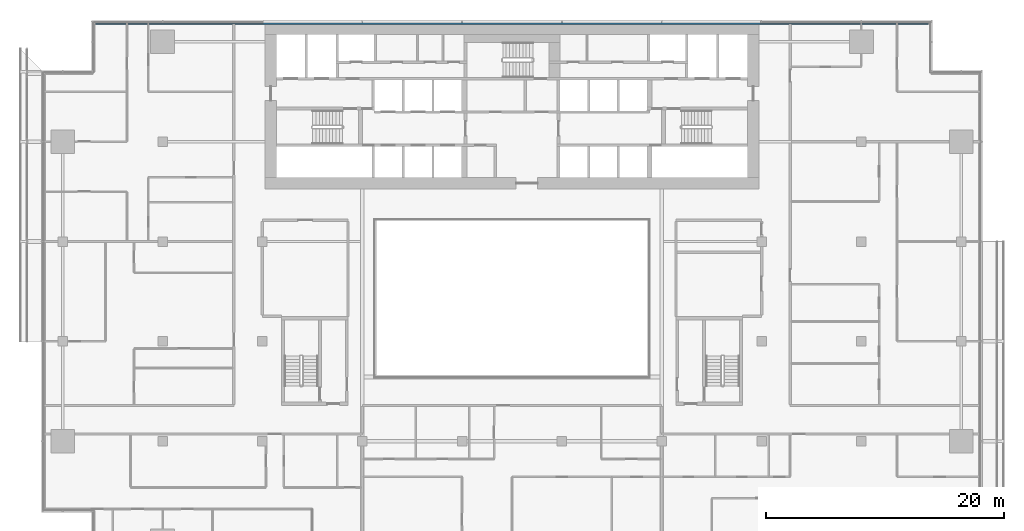
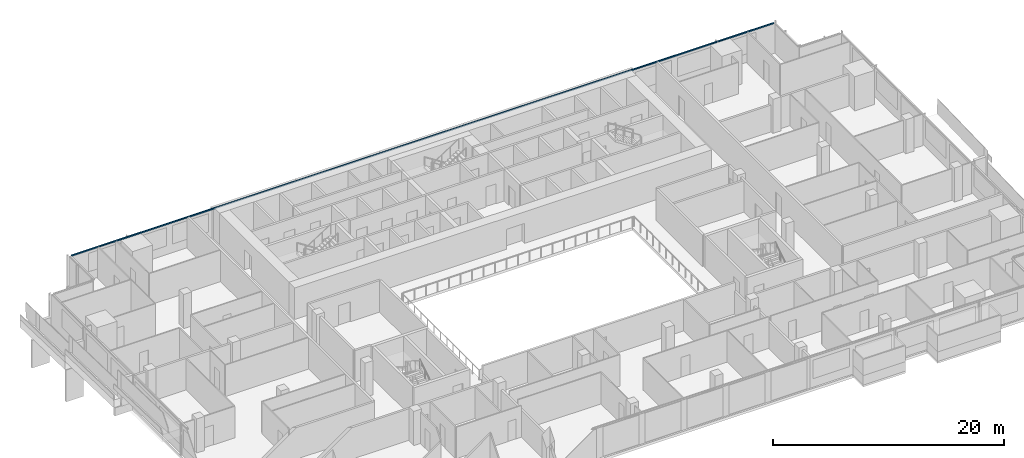
# One storey, part 9 of 27: 1 member, 1 element without a shape of its own.
"""IFC4 building model written with IfcOpenShell, lengths in metres."""

from ifc_helpers import new_model, si_unit, direction, frame, origin, origin_2d, place, context, subcontext, project, spatial, rectangle, extrude, material, material_profile, profile_set, type_object, element, aggregate, save


model = new_model("IFC4")

# Units and contexts
model_context = context("Model", 3, precision=1e-05, world=origin(), true_north=direction((0.0, 1.0)))
body_context = subcontext(model_context, "Body", "Model", "MODEL_VIEW")
ifc_project = project(units=[si_unit("LENGTHUNIT", "METRE"), si_unit("AREAUNIT", "SQUARE_METRE"), si_unit("VOLUMEUNIT", "CUBIC_METRE"), si_unit("PLANEANGLEUNIT", "RADIAN"), si_unit("MASSUNIT", "GRAM", prefix="KILO")], contexts=[model_context])

# Site, building, storey
site_placement = place(None, origin())
site = spatial("IfcSite", under=ifc_project, at=site_placement, CompositionType="ELEMENT")
building_placement = place(site_placement, origin())
building = spatial("IfcBuilding", under=site, at=building_placement, Name="Saffron Gate Tower", CompositionType="ELEMENT")
storey_placement = place(building_placement, frame((0.0, 0.0, 109.64990234375)))
storey = spatial("IfcBuildingStorey", under=building, at=storey_placement, Name="L25", CompositionType="ELEMENT", Elevation=109.64990234375)

# Curtain wall, member
ifc_material = material(Name="Aluminium, bronze anodised", Category="aluminium")
curtain_wall_type = type_object("IfcCurtainWallType", Name="CWS3 curtain wall rear facade", PredefinedType="NOTDEFINED", material=ifc_material)
curtain_wall_placement = place(storey_placement, origin())
curtain_wall = element("IfcCurtainWall", 1, at=curtain_wall_placement, inside=storey, type_object=curtain_wall_type, Name="CWS3 run 7", PredefinedType="NOTDEFINED")
ifc_material_profile = material_profile(ifc_material, rectangle(XDim=0.1201171875, YDim=0.1201171875, at=origin_2d()))
ifc_profile_set = profile_set([ifc_material_profile], Name="Aluminium, bronze anodised")
member_type = type_object("IfcMemberType", Name="CWS3 head transom", PredefinedType="USERDEFINED", material=ifc_profile_set)
member_placement = place(storey_placement, frame((122.632080078125, 75.35205078125, 3.260009765625), z_axis=(-1.0, 0.0, 0.0), x_axis=(0.0, -1.0, 0.0)))
member = element("IfcMember", 2, at=member_placement, type_object=member_type, Name="CWS3 head transom", ObjectType="TRANSOM", PredefinedType="USERDEFINED", context=body_context, shape_type="SweptSolid", body=[
    extrude(rectangle(XDim=0.1201171875, YDim=0.1201171875, at=origin_2d()), origin(), (0.0, 0.0, 1.0), 70.06396484375),
])
aggregate(curtain_wall, [member])

save(model, "model.ifc")
